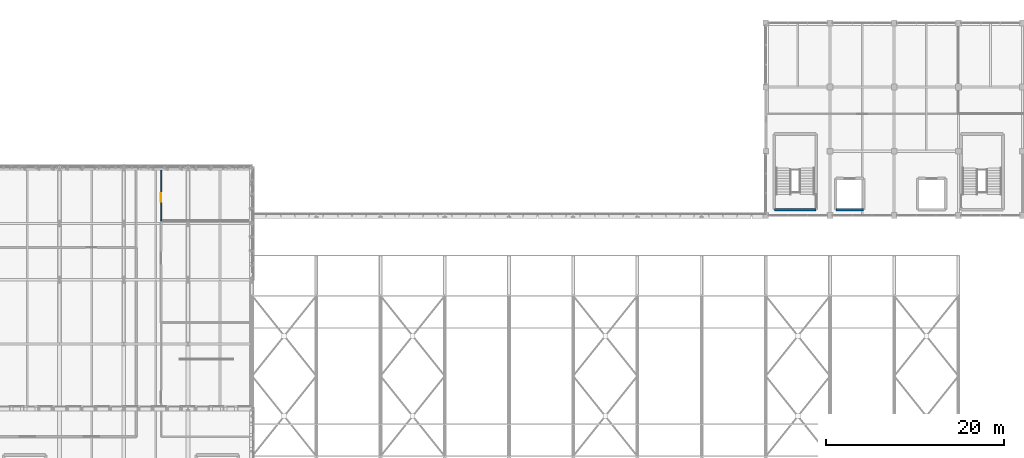
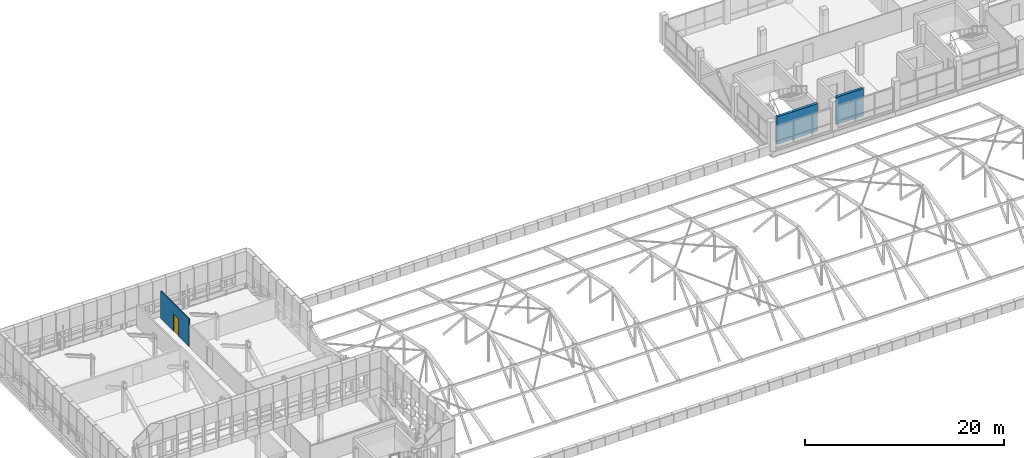
# One storey, part 58 of 96: 3 walls, 1 door, 1 opening.
"""IFC4 building model written with IfcOpenShell, lengths in metres."""

from ifc_helpers import new_model, si_unit, direction, frame, frame_2d, origin, place, context, subcontext, project, spatial, rectangle, extrude, material, layer, layer_set, type_object, element, fill, save


model = new_model("IFC4")

# Units and contexts
model_context = context("Model", 3, precision=1e-05, world=origin(), true_north=direction((0.0, 1.0)))
body_context = subcontext(model_context, "Body", "Model", "MODEL_VIEW")
ifc_project = project(units=[si_unit("LENGTHUNIT", "METRE"), si_unit("AREAUNIT", "SQUARE_METRE"), si_unit("VOLUMEUNIT", "CUBIC_METRE"), si_unit("PLANEANGLEUNIT", "RADIAN"), si_unit("MASSUNIT", "GRAM", prefix="KILO")], contexts=[model_context])

# Site, building, storey
site_placement = place(None, origin())
site = spatial("IfcSite", under=ifc_project, at=site_placement, CompositionType="ELEMENT")
building_placement = place(site_placement, origin())
building = spatial("IfcBuilding", under=site, at=building_placement, Name="Yarey Park Central Fire Station", CompositionType="ELEMENT")
storey_placement = place(building_placement, frame((0.0, 0.0, 14.39990234375)))
storey = spatial("IfcBuildingStorey", under=building, at=storey_placement, Name="L04", CompositionType="ELEMENT", Elevation=14.39990234375)

# Walls
ifc_material_1 = material(Name="Concrete C40/50", Category="concrete")
ifc_layer_1 = layer(ifc_material_1, 0.27001953125)
ifc_layer_set_1 = layer_set([ifc_layer_1], Name="Concrete C40/50")
wall_type_1 = type_object("IfcWallType", Name="INT_CORE_RC270", PredefinedType="SHEAR", material=ifc_layer_set_1)
wall_1_placement = place(storey_placement, frame((123.050048828125, 94.25, 0.0), z_axis=(0.0, 0.0, 1.0), x_axis=(1.0, 0.0, 0.0)))
element("IfcWall", 1, at=wall_1_placement, inside=storey, type_object=wall_type_1, Name="LWALL_C1_L04_S", PredefinedType="SHEAR", context=body_context, shape_type="SweptSolid", body=[
    extrude(rectangle(XDim=3.099853515625, YDim=0.300048828125, at=frame_2d((1.5498046875, 0.0))), origin(), (0.0, 0.0, 1.0), 3.360107421875),
])
ifc_layer_2 = layer(ifc_material_1, 0.300048828125)
ifc_layer_set_2 = layer_set([ifc_layer_2], Name="Concrete C40/50")
wall_type_2 = type_object("IfcWallType", Name="INT_CORE_RC300", PredefinedType="SHEAR", material=ifc_layer_set_2)
wall_2_placement = place(storey_placement, frame((116.14990234375, 94.25, 0.0), z_axis=(0.0, 0.0, 1.0), x_axis=(1.0, 0.0, 0.0)))
element("IfcWall", 2, at=wall_2_placement, inside=storey, type_object=wall_type_2, Name="CWALL_C1_L04_S", PredefinedType="SHEAR", context=body_context, shape_type="SweptSolid", body=[
    extrude(rectangle(XDim=4.7001953125, YDim=0.300048828125, at=frame_2d((2.35009765625, 0.0))), origin(), (0.0, 0.0, 1.0), 3.360107421875),
])

# Wall, opening, door
ifc_material_2 = material(Name="Gypsum Acoustic Partition", Category="gypsum")
ifc_layer_3 = layer(ifc_material_2, 0.134033203125)
ifc_layer_set_3 = layer_set([ifc_layer_3], Name="Gypsum Acoustic Partition")
wall_type_3 = type_object("IfcWallType", Name="INT_WALL_PT134", PredefinedType="STANDARD", material=ifc_layer_set_3)
wall_3_placement = place(storey_placement, frame((47.39990234375, 98.699951171875, 0.0), z_axis=(0.0, 0.0, 1.0), x_axis=(0.0, -1.0, 0.0)))
wall_3 = element("IfcWall", 3, at=wall_3_placement, inside=storey, type_object=wall_type_3, Name="PART_SPC_L04_V3_WCA_WEST", PredefinedType="STANDARD", context=body_context, shape_type="SweptSolid", body=[
    extrude(rectangle(XDim=5.699951171875, YDim=0.134033203125, at=frame_2d((2.85009765625, 0.0))), origin(), (0.0, 0.0, 1.0), 3.360107421875),
])
opening_placement = place(wall_3_placement, frame((2.6298828125, 0.0, 0.0)))
opening = element("IfcOpeningElement", 4, at=opening_placement, cuts=wall_3, Name="Opening WD-095", PredefinedType="OPENING", context=body_context, shape_type="SweptSolid", body=[
    extrude(rectangle(XDim=0.93994140625, YDim=2.1201171875, at=frame_2d((0.469970703125, 1.06005859375))), frame((0.0, 0.076904296875, 0.0), z_axis=(0.0, -1.0, 0.0), x_axis=(1.0, 0.0, 0.0)), (0.0, 0.0, 1.0), 0.154052734375),
])
ifc_material_3 = material(Name="Phenolic Moisture-Resistant Leaf", Category="wood")
door_type = type_object("IfcDoorType", Name="DR_WC_950", OperationType="NOTDEFINED", PredefinedType="DOOR", material=ifc_material_3)
door_placement = place(opening_placement, origin())
door = element("IfcDoor", 5, at=door_placement, inside=storey, type_object=door_type, Name="DOOR_SPC_L04_V3_WCA", OperationType="SINGLE_SWING_RIGHT", OverallHeight=2.1201171875, OverallWidth=0.93994140625, PredefinedType="DOOR", context=body_context, shape_type="SweptSolid", body=[
    extrude(rectangle(XDim=0.93994140625, YDim=2.1201171875, at=frame_2d((0.469970703125, 1.06005859375))), frame((0.0, 0.02490234375, 0.0), z_axis=(0.0, -1.0, 0.0), x_axis=(1.0, 0.0, 0.0)), (0.0, 0.0, 1.0), 0.050048828125),
])
fill(opening, door)

save(model, "model.ifc")
